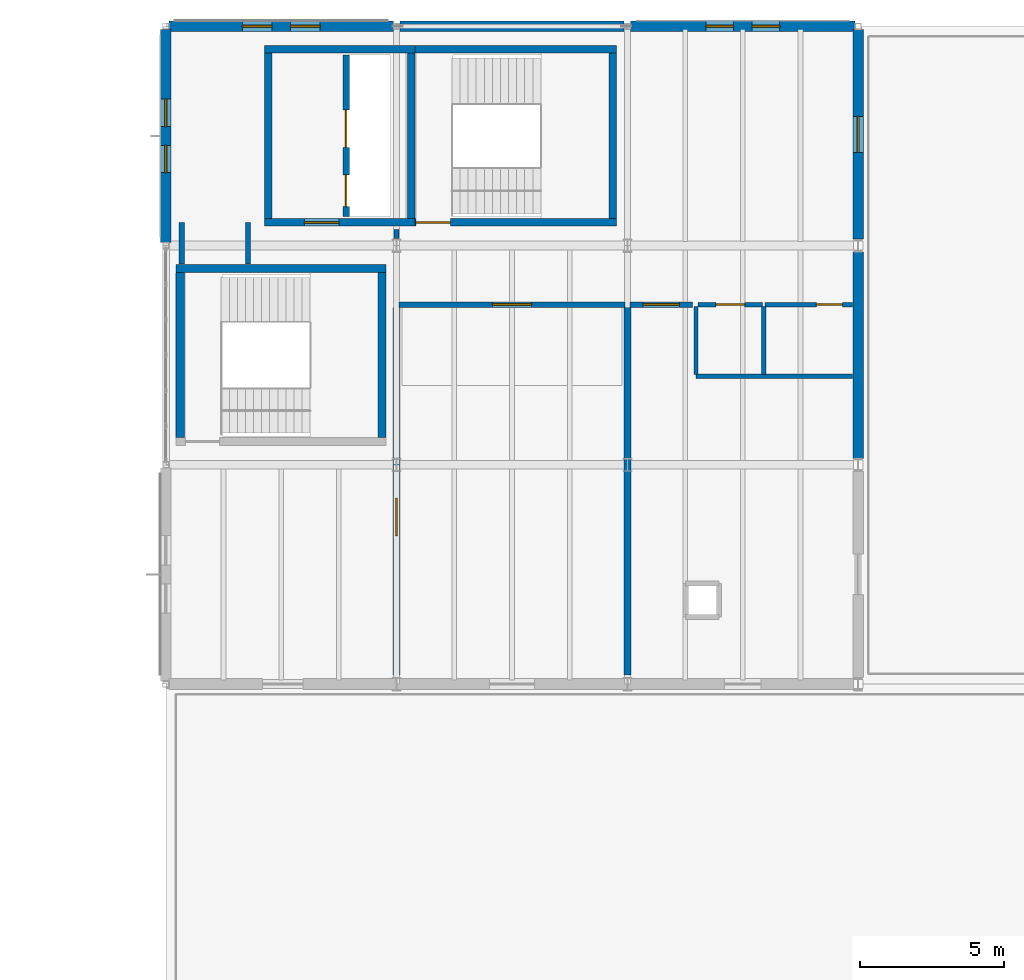
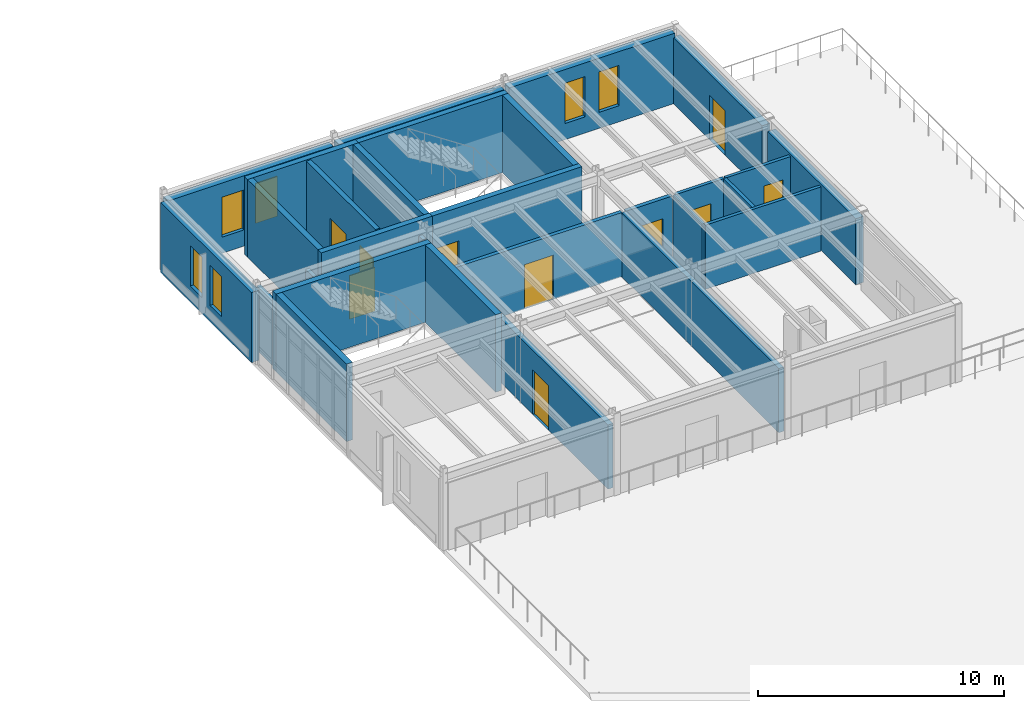
# One storey, part 96 of 114: 29 walls, 10 doors, 6 windows, 16 openings.
"""IFC4 building model written with IfcOpenShell, lengths in metres."""

import ifcopenshell
import ifcopenshell.guid

model = None  # the IFC model being written
_history = None  # IfcOwnerHistory: only IFC2X3 demands one
_inside = {}  # id of a spatial element -> (the spatial element, [elements in it])
_under = {}  # id of a project, library or spatial element -> (it, [spatial elements below it])
_declared = {}  # id of a project -> (the project, [libraries it declares])
_typed = {}  # id of a type object -> (the type object, [elements of that type])
_made_of = {}  # id of a material, layer set ... -> (it, [elements and type objects made of it])


def new_model(schema):
    """Start an empty IFC model of exactly this schema.

    Asked for "IFC4X3", IfcOpenShell would pick the latest addendum, in which some entities
    have other attributes; the version numbers below select the first issue.
    IFC2X3 requires an IfcOwnerHistory on every rooted entity: one is made here for all.
    """
    global model, _history
    if schema == "IFC4X3":
        model = ifcopenshell.file(schema_version=(4, 3, 0, 0))
    else:
        model = ifcopenshell.file(schema=schema)
    _inside.clear()
    _under.clear()
    _declared.clear()
    _typed.clear()
    _made_of.clear()
    _history = None
    if model.schema == "IFC2X3":
        org = make("IfcOrganization", Name="unknown")
        user = make(
            "IfcPersonAndOrganization",
            ThePerson=make("IfcPerson", FamilyName="unknown"),
            TheOrganization=org,
        )
        app = make(
            "IfcApplication",
            ApplicationDeveloper=org,
            Version="unknown",
            ApplicationFullName="unknown",
            ApplicationIdentifier="unknown",
        )
        _history = make(
            "IfcOwnerHistory",
            OwningUser=user,
            OwningApplication=app,
            ChangeAction="ADDED",
            CreationDate=0,
        )
    return model


def make(cls, **values):
    """One entity of the class cls with the attributes given. An attribute that is None is left unset."""
    return model.create_entity(
        cls, **{name: value for name, value in values.items() if value is not None}
    )


def rooted(cls, **values):
    """An entity with a GlobalId (a new one), such as an element, a storey or a relation."""
    return make(cls, GlobalId=ifcopenshell.guid.new(), OwnerHistory=_history, **values)


def si_unit(unit_type, name, prefix=None):
    """IfcSIUnit, for example si_unit("LENGTHUNIT", "METRE", prefix="MILLI")."""
    return make("IfcSIUnit", UnitType=unit_type, Prefix=prefix, Name=name)


def assignment(units):
    """IfcUnitAssignment: the units of a project."""
    return None if units is None else make("IfcUnitAssignment", Units=units)


def point(xyz):
    """IfcCartesianPoint."""
    return None if xyz is None else make("IfcCartesianPoint", Coordinates=xyz)


def direction(xyz):
    """IfcDirection."""
    return None if xyz is None else make("IfcDirection", DirectionRatios=xyz)


def frame(location, z_axis=None, x_axis=None):
    """IfcAxis2Placement3D, a coordinate frame: its origin and axes. An axis left out is left unset."""
    return make(
        "IfcAxis2Placement3D",
        Location=point(location),
        Axis=direction(z_axis),
        RefDirection=direction(x_axis),
    )


def frame_2d(location, x_axis=None):
    """IfcAxis2Placement2D, a coordinate frame in the plane: its origin and x axis."""
    return make(
        "IfcAxis2Placement2D", Location=point(location), RefDirection=direction(x_axis)
    )


def origin():
    """The frame at (0, 0, 0) with its axes left unset."""
    return frame((0.0, 0.0, 0.0))


def place(relative_to, where):
    """IfcLocalPlacement: puts the frame where relative to a parent placement (None: the world)."""
    return make(
        "IfcLocalPlacement", PlacementRelTo=relative_to, RelativePlacement=where
    )


def context(
    kind, dimensions, precision=None, world=None, true_north=None, identifier=None
):
    """IfcGeometricRepresentationContext, for example the 3D "Model" context."""
    return make(
        "IfcGeometricRepresentationContext",
        ContextIdentifier=identifier,
        ContextType=kind,
        CoordinateSpaceDimension=dimensions,
        Precision=precision,
        WorldCoordinateSystem=world,
        TrueNorth=true_north,
    )


def subcontext(parent, identifier, kind, view, scale=None):
    """IfcGeometricRepresentationSubContext, for example "Body" below "Model"."""
    return make(
        "IfcGeometricRepresentationSubContext",
        ContextIdentifier=identifier,
        ContextType=kind,
        ParentContext=parent,
        TargetScale=scale,
        TargetView=view,
    )


def project(units=None, contexts=None):
    """IfcProject with its units and contexts."""
    return rooted(
        "IfcProject",
        Name="project",
        RepresentationContexts=contexts,
        UnitsInContext=assignment(units),
    )


def spatial(cls, under=None, at=None, **own):
    """A site, building, storey or space (cls), placed at a placement, below another one or the project."""
    s = rooted(cls, ObjectPlacement=at, **own)
    if under is not None:
        _under.setdefault(under.id(), (under, []))[1].append(s)
    return s


def profile(cls, at=None, kind="AREA", **sizes):
    """A parametric profile (cls). Its sizes go by their IFC names, for example OverallWidth=200.0."""
    return make(cls, ProfileType=kind, Position=at, **sizes)


def rectangle(**sizes):
    """IfcRectangleProfileDef."""
    return profile("IfcRectangleProfileDef", **sizes)


def extrude(swept, where, along, depth):
    """IfcExtrudedAreaSolid: the profile swept, set in the frame where, extruded along a direction by depth."""
    return make(
        "IfcExtrudedAreaSolid",
        SweptArea=swept,
        Position=where,
        ExtrudedDirection=direction(along),
        Depth=depth,
    )


def shape(context_of_items, identifier, shape_type, items):
    """IfcShapeRepresentation: the items that make up one representation, for example the "Body"."""
    return make(
        "IfcShapeRepresentation",
        ContextOfItems=context_of_items,
        RepresentationIdentifier=identifier,
        RepresentationType=shape_type,
        Items=items,
    )


def material(Name=None, Category=None):
    """IfcMaterial."""
    return make("IfcMaterial", Name=Name, Category=Category)


def layer(
    of_material, thickness, ventilated=None, Name=None, Category=None, Priority=None
):
    """IfcMaterialLayer: one layer of a wall or slab, of a material (None: an air gap)."""
    return make(
        "IfcMaterialLayer",
        Material=of_material,
        LayerThickness=thickness,
        IsVentilated=ventilated,
        Name=Name,
        Category=Category,
        Priority=Priority,
    )


def layer_set(layers, Name=None):
    """IfcMaterialLayerSet."""
    return make("IfcMaterialLayerSet", MaterialLayers=layers, LayerSetName=Name)


def made_of(thing, what):
    """Note that an element or type object is made of a material, layer set ...; save() writes the relation."""
    if what is not None:
        _made_of.setdefault(what.id(), (what, []))[1].append(thing)
    return thing


def type_object(cls, material=None, **own):
    """A type object (cls), such as IfcWallType, which elements share."""
    return made_of(rooted(cls, **own), material)


def element(
    cls,
    number,
    at=None,
    inside=None,
    cuts=None,
    type_object=None,
    material=None,
    context=None,
    identifier="Body",
    shape_type=None,
    held_by="IfcProductDefinitionShape",
    body=None,
    shapes=None,
    **own,
):
    """One element of the class cls, such as IfcWall. Its Tag is "e" and its number.

    at: its placement. inside: the storey or other place that contains it. cuts: it is an
    opening in that element (IfcRelVoidsElement). A single representation is given by context,
    identifier, shape_type and body (its items); several are given by shapes. held_by: the class
    of the entity that holds the representations. save() writes the other relations.
    """
    e = rooted(cls, Tag="e%d" % number, ObjectPlacement=at, **own)
    if body is not None:
        shapes = [shape(context, identifier, shape_type, body)]
    if shapes is not None:
        e.Representation = make(held_by, Representations=shapes)
    if inside is not None:
        _inside.setdefault(inside.id(), (inside, []))[1].append(e)
    if cuts is not None:
        rooted(
            "IfcRelVoidsElement", RelatingBuildingElement=cuts, RelatedOpeningElement=e
        )
    if type_object is not None:
        _typed.setdefault(type_object.id(), (type_object, []))[1].append(e)
    return made_of(e, material)


def fill(opening, filler):
    """IfcRelFillsElement: the door or window that sits in an opening."""
    return rooted(
        "IfcRelFillsElement",
        RelatingOpeningElement=opening,
        RelatedBuildingElement=filler,
    )


def aggregate(whole, parts):
    """IfcRelAggregates: a whole, such as a stair, and the parts it consists of."""
    return rooted("IfcRelAggregates", RelatingObject=whole, RelatedObjects=parts)


def save(model, path):
    """Write the relations noted so far, then the file.

    IfcRelAggregates (storeys below a building ...), IfcRelContainedInSpatialStructure (elements
    in a storey), IfcRelDefinesByType, IfcRelAssociatesMaterial and IfcRelDeclares: one each for
    every whole, place, type object, material and project.
    """
    for whole, parts in _under.values():
        aggregate(whole, parts)
    for where, things in _inside.values():
        rooted(
            "IfcRelContainedInSpatialStructure",
            RelatedElements=things,
            RelatingStructure=where,
        )
    for kind, things in _typed.values():
        rooted("IfcRelDefinesByType", RelatedObjects=things, RelatingType=kind)
    for what, things in _made_of.values():
        rooted("IfcRelAssociatesMaterial", RelatedObjects=things, RelatingMaterial=what)
    for by, libraries in _declared.values():
        rooted("IfcRelDeclares", RelatingContext=by, RelatedDefinitions=libraries)
    model.write(path)


model = new_model("IFC4")

# Units and contexts
model_context = context("Model", 3, precision=1e-05, world=origin(), true_north=direction((0.0, 1.0)))
body_context = subcontext(model_context, "Body", "Model", "MODEL_VIEW")
ifc_project = project(units=[si_unit("LENGTHUNIT", "METRE"), si_unit("AREAUNIT", "SQUARE_METRE"), si_unit("VOLUMEUNIT", "CUBIC_METRE"), si_unit("PLANEANGLEUNIT", "RADIAN"), si_unit("MASSUNIT", "GRAM", prefix="KILO")], contexts=[model_context])

# Site, building, storey
site_placement = place(None, origin())
site = spatial("IfcSite", under=ifc_project, at=site_placement, CompositionType="ELEMENT")
building_placement = place(site_placement, origin())
building = spatial("IfcBuilding", under=site, at=building_placement, Name="Montecoro Central Library", CompositionType="ELEMENT")
storey_placement = place(building_placement, frame((0.0, 0.0, 13.260009765625)))
storey = spatial("IfcBuildingStorey", under=building, at=storey_placement, Name="L03", CompositionType="ELEMENT", Elevation=13.260009765625)

# Wall
ifc_material_1 = material(Name="Roman travertine stone clad concrete C35/45", Category="masonry")
ifc_layer_1 = layer(ifc_material_1, 0.364990234375)
ifc_layer_set_1 = layer_set([ifc_layer_1], Name="Roman travertine stone clad concrete C35/45")
wall_type_1 = type_object("IfcWallType", Name="EW-STK-365", PredefinedType="SOLIDWALL", material=ifc_layer_set_1)
wall_1_placement = place(storey_placement, frame((165.0, 104.02294921875, 0.0), z_axis=(0.0, 0.0, 1.0), x_axis=(0.0, 1.0, 0.0)))
element("IfcWall", 1, at=wall_1_placement, inside=storey, type_object=wall_type_1, Name="V5-L03-EW-E1", PredefinedType="SOLIDWALL", context=body_context, shape_type="SweptSolid", body=[
    extrude(rectangle(XDim=7.154052734375, YDim=0.364990234375, at=frame_2d((3.5771484375, 0.0))), origin(), (0.0, 0.0, 1.0), 3.27001953125),
])

# Wall, opening, door
wall_2_placement = place(storey_placement, frame((165.0, 111.623046875, 0.0), z_axis=(0.0, 0.0, 1.0), x_axis=(0.0, 1.0, 0.0)))
wall_2 = element("IfcWall", 2, at=wall_2_placement, inside=storey, type_object=wall_type_1, Name="V5-L03-EW-E2", PredefinedType="SOLIDWALL", context=body_context, shape_type="SweptSolid", body=[
    extrude(rectangle(XDim=7.263916015625, YDim=0.364990234375, at=frame_2d((3.6318359375, 0.0))), origin(), (0.0, 0.0, 1.0), 3.27001953125),
])
opening_1_placement = place(wall_2_placement, frame((3.007080078125, 0.0, 0.0)))
opening_1 = element("IfcOpeningElement", 3, at=opening_1_placement, cuts=wall_2, Name="Opening ED-09", PredefinedType="OPENING", context=body_context, shape_type="SweptSolid", body=[
    extrude(rectangle(XDim=1.25, YDim=2.199951171875, at=frame_2d((0.625, 1.10009765625))), frame((0.0, 0.1923828125, 0.0), z_axis=(0.0, -1.0, 0.0), x_axis=(1.0, 0.0, 0.0)), (0.0, 0.0, 1.0), 0.385009765625),
])
ifc_material_2 = material(Name="Thermally broken architectural bronze and safety glass", Category="glass")
door_type_1 = type_object("IfcDoorType", Name="ED-TER-125", OperationType="NOTDEFINED", PredefinedType="DOOR", material=ifc_material_2)
door_1_placement = place(opening_1_placement, origin())
door_1 = element("IfcDoor", 4, at=door_1_placement, inside=storey, type_object=door_type_1, Name="V5-L03-TD-E2", OperationType="SINGLE_SWING_RIGHT", OverallHeight=2.199951171875, OverallWidth=1.25, PredefinedType="DOOR", context=body_context, shape_type="SweptSolid", body=[
    extrude(rectangle(XDim=1.25, YDim=2.199951171875, at=frame_2d((0.625, 1.10009765625))), frame((0.0, 0.02490234375, 0.0), z_axis=(0.0, -1.0, 0.0), x_axis=(1.0, 0.0, 0.0)), (0.0, 0.0, 1.0), 0.050048828125),
])
fill(opening_1, door_1)

# Wall, openings, windows
wall_3_placement = place(storey_placement, frame((164.886962890625, 119.0, 0.0), z_axis=(0.0, 0.0, 1.0), x_axis=(-1.0, 0.0, 0.0)))
wall_3 = element("IfcWall", 5, at=wall_3_placement, inside=storey, type_object=wall_type_1, Name="V5-L03-EW-N2", PredefinedType="SOLIDWALL", context=body_context, shape_type="SweptSolid", body=[
    extrude(rectangle(XDim=7.77392578125, YDim=0.364990234375, at=frame_2d((3.886962890625, 0.0))), origin(), (0.0, 0.0, 1.0), 3.47998046875),
])
opening_2_placement = place(wall_3_placement, frame((2.612060546875, 0.0, 0.800048828125)))
opening_2 = element("IfcOpeningElement", 6, at=opening_2_placement, cuts=wall_3, Name="Opening WN-02", PredefinedType="OPENING", context=body_context, shape_type="SweptSolid", body=[
    extrude(rectangle(XDim=0.949951171875, YDim=2.0, at=frame_2d((0.47509765625, 1.0))), frame((0.0, 0.1923828125, 0.0), z_axis=(0.0, -1.0, 0.0), x_axis=(1.0, 0.0, 0.0)), (0.0, 0.0, 1.0), 0.385009765625),
])
opening_3_placement = place(wall_3_placement, frame((4.2119140625, 0.0, 0.800048828125)))
opening_3 = element("IfcOpeningElement", 7, at=opening_3_placement, cuts=wall_3, Name="Opening WN-02", PredefinedType="OPENING", context=body_context, shape_type="SweptSolid", body=[
    extrude(rectangle(XDim=0.949951171875, YDim=2.0, at=frame_2d((0.47509765625, 1.0))), frame((0.0, 0.1923828125, 0.0), z_axis=(0.0, -1.0, 0.0), x_axis=(1.0, 0.0, 0.0)), (0.0, 0.0, 1.0), 0.385009765625),
])
ifc_material_3 = material(Name="UV-filtered triple glazing", Category="glass")
window_type_1 = type_object("IfcWindowType", Name="WN-STK-095", PartitioningType="SINGLE_PANEL", PredefinedType="WINDOW", material=ifc_material_3)
window_1_placement = place(opening_2_placement, origin())
window_1 = element("IfcWindow", 8, at=window_1_placement, inside=storey, type_object=window_type_1, Name="V5-L03-WN-N2-1", OverallHeight=2.0, OverallWidth=0.949951171875, PartitioningType="SINGLE_PANEL", PredefinedType="WINDOW", context=body_context, shape_type="SweptSolid", body=[
    extrude(rectangle(XDim=0.949951171875, YDim=2.0, at=frame_2d((0.47509765625, 1.0))), frame((0.0, 0.030029296875, 0.0), z_axis=(0.0, -1.0, 0.0), x_axis=(1.0, 0.0, 0.0)), (0.0, 0.0, 1.0), 0.06005859375),
])
fill(opening_2, window_1)
window_2_placement = place(opening_3_placement, origin())
window_2 = element("IfcWindow", 9, at=window_2_placement, inside=storey, type_object=window_type_1, Name="V5-L03-WN-N2-2", OverallHeight=2.0, OverallWidth=0.949951171875, PartitioningType="SINGLE_PANEL", PredefinedType="WINDOW", context=body_context, shape_type="SweptSolid", body=[
    extrude(rectangle(XDim=0.949951171875, YDim=2.0, at=frame_2d((0.47509765625, 1.0))), frame((0.0, 0.030029296875, 0.0), z_axis=(0.0, -1.0, 0.0), x_axis=(1.0, 0.0, 0.0)), (0.0, 0.0, 1.0), 0.06005859375),
])
fill(opening_3, window_2)

# Wall
wall_4_placement = place(storey_placement, frame((156.886962890625, 119.0, 0.0), z_axis=(0.0, 0.0, 1.0), x_axis=(-1.0, 0.0, 0.0)))
element("IfcWall", 10, at=wall_4_placement, inside=storey, type_object=wall_type_1, Name="V5-L03-EW-N1", PredefinedType="SOLIDWALL", context=body_context, shape_type="SweptSolid", body=[
    extrude(rectangle(XDim=7.77392578125, YDim=0.364990234375, at=frame_2d((3.886962890625, 0.0))), origin(), (0.0, 0.0, 1.0), 3.47998046875),
])

# Wall, openings, windows
wall_5_placement = place(storey_placement, frame((148.886962890625, 119.0, 0.0), z_axis=(0.0, 0.0, 1.0), x_axis=(-1.0, 0.0, 0.0)))
wall_5 = element("IfcWall", 11, at=wall_5_placement, inside=storey, type_object=wall_type_1, Name="V5-L03-EW-N0", PredefinedType="SOLIDWALL", context=body_context, shape_type="SweptSolid", body=[
    extrude(rectangle(XDim=7.77392578125, YDim=0.364990234375, at=frame_2d((3.886962890625, 0.0))), origin(), (0.0, 0.0, 1.0), 3.47998046875),
])
opening_4_placement = place(wall_5_placement, frame((2.5419921875, 0.0, 0.800048828125)))
opening_4 = element("IfcOpeningElement", 12, at=opening_4_placement, cuts=wall_5, Name="Opening WN-30", PredefinedType="OPENING", context=body_context, shape_type="SweptSolid", body=[
    extrude(rectangle(XDim=1.02001953125, YDim=1.97998046875, at=frame_2d((0.510009765625, 0.989990234375))), frame((0.0, 0.1923828125, 0.0), z_axis=(0.0, -1.0, 0.0), x_axis=(1.0, 0.0, 0.0)), (0.0, 0.0, 1.0), 0.385009765625),
])
opening_5_placement = place(wall_5_placement, frame((4.2119140625, 0.0, 0.800048828125)))
opening_5 = element("IfcOpeningElement", 13, at=opening_5_placement, cuts=wall_5, Name="Opening WN-30", PredefinedType="OPENING", context=body_context, shape_type="SweptSolid", body=[
    extrude(rectangle(XDim=1.02001953125, YDim=1.97998046875, at=frame_2d((0.510009765625, 0.989990234375))), frame((0.0, 0.1923828125, 0.0), z_axis=(0.0, -1.0, 0.0), x_axis=(1.0, 0.0, 0.0)), (0.0, 0.0, 1.0), 0.385009765625),
])
window_type_2 = type_object("IfcWindowType", Name="WN-STK-102", PartitioningType="SINGLE_PANEL", PredefinedType="WINDOW", material=ifc_material_3)
window_3_placement = place(opening_4_placement, origin())
window_3 = element("IfcWindow", 14, at=window_3_placement, inside=storey, type_object=window_type_2, Name="V5-L03-WN-N0-1", OverallHeight=1.97998046875, OverallWidth=1.02001953125, PartitioningType="SINGLE_PANEL", PredefinedType="WINDOW", context=body_context, shape_type="SweptSolid", body=[
    extrude(rectangle(XDim=1.02001953125, YDim=1.97998046875, at=frame_2d((0.510009765625, 0.989990234375))), frame((0.0, 0.030029296875, 0.0), z_axis=(0.0, -1.0, 0.0), x_axis=(1.0, 0.0, 0.0)), (0.0, 0.0, 1.0), 0.06005859375),
])
fill(opening_4, window_3)
window_4_placement = place(opening_5_placement, origin())
window_4 = element("IfcWindow", 15, at=window_4_placement, inside=storey, type_object=window_type_2, Name="V5-L03-WN-N0-2", OverallHeight=1.97998046875, OverallWidth=1.02001953125, PartitioningType="SINGLE_PANEL", PredefinedType="WINDOW", context=body_context, shape_type="SweptSolid", body=[
    extrude(rectangle(XDim=1.02001953125, YDim=1.97998046875, at=frame_2d((0.510009765625, 0.989990234375))), frame((0.0, 0.030029296875, 0.0), z_axis=(0.0, -1.0, 0.0), x_axis=(1.0, 0.0, 0.0)), (0.0, 0.0, 1.0), 0.06005859375),
])
fill(opening_5, window_4)

wall_6_placement = place(storey_placement, frame((141.0, 118.886962890625, 0.0), z_axis=(0.0, 0.0, 1.0), x_axis=(0.0, -1.0, 0.0)))
wall_6 = element("IfcWall", 16, at=wall_6_placement, inside=storey, type_object=wall_type_1, Name="V5-L03-EW-W2", PredefinedType="SOLIDWALL", context=body_context, shape_type="SweptSolid", body=[
    extrude(rectangle(XDim=7.3740234375, YDim=0.364990234375, at=frame_2d((3.68701171875, 0.0))), origin(), (0.0, 0.0, 1.0), 3.47998046875),
])
opening_6_placement = place(wall_6_placement, frame((2.412109375, 0.0, 0.800048828125)))
opening_6 = element("IfcOpeningElement", 17, at=opening_6_placement, cuts=wall_6, Name="Opening WN-02", PredefinedType="OPENING", context=body_context, shape_type="SweptSolid", body=[
    extrude(rectangle(XDim=0.949951171875, YDim=2.0, at=frame_2d((0.47509765625, 1.0))), frame((0.0, 0.1923828125, 0.0), z_axis=(0.0, -1.0, 0.0), x_axis=(1.0, 0.0, 0.0)), (0.0, 0.0, 1.0), 0.385009765625),
])
opening_7_placement = place(wall_6_placement, frame((4.011962890625, 0.0, 0.800048828125)))
opening_7 = element("IfcOpeningElement", 18, at=opening_7_placement, cuts=wall_6, Name="Opening WN-02", PredefinedType="OPENING", context=body_context, shape_type="SweptSolid", body=[
    extrude(rectangle(XDim=0.949951171875, YDim=2.0, at=frame_2d((0.47509765625, 1.0))), frame((0.0, 0.1923828125, 0.0), z_axis=(0.0, -1.0, 0.0), x_axis=(1.0, 0.0, 0.0)), (0.0, 0.0, 1.0), 0.385009765625),
])
window_5_placement = place(opening_6_placement, origin())
window_5 = element("IfcWindow", 19, at=window_5_placement, inside=storey, type_object=window_type_1, Name="V5-L03-WN-W2-1", OverallHeight=2.0, OverallWidth=0.949951171875, PartitioningType="SINGLE_PANEL", PredefinedType="WINDOW", context=body_context, shape_type="SweptSolid", body=[
    extrude(rectangle(XDim=0.949951171875, YDim=2.0, at=frame_2d((0.47509765625, 1.0))), frame((0.0, 0.030029296875, 0.0), z_axis=(0.0, -1.0, 0.0), x_axis=(1.0, 0.0, 0.0)), (0.0, 0.0, 1.0), 0.06005859375),
])
fill(opening_6, window_5)
window_6_placement = place(opening_7_placement, origin())
window_6 = element("IfcWindow", 20, at=window_6_placement, inside=storey, type_object=window_type_1, Name="V5-L03-WN-W2-2", OverallHeight=2.0, OverallWidth=0.949951171875, PartitioningType="SINGLE_PANEL", PredefinedType="WINDOW", context=body_context, shape_type="SweptSolid", body=[
    extrude(rectangle(XDim=0.949951171875, YDim=2.0, at=frame_2d((0.47509765625, 1.0))), frame((0.0, 0.030029296875, 0.0), z_axis=(0.0, -1.0, 0.0), x_axis=(1.0, 0.0, 0.0)), (0.0, 0.0, 1.0), 0.06005859375),
])
fill(opening_7, window_6)

# Wall, opening, door
ifc_material_4 = material(Name="Gypsum fire-rated partition")
ifc_layer_2 = layer(ifc_material_4, 0.179931640625)
ifc_layer_set_2 = layer_set([ifc_layer_2], Name="Gypsum fire-rated partition")
wall_type_2 = type_object("IfcWallType", Name="IW-COR-180", PredefinedType="PARTITIONING", material=ifc_layer_set_2)
wall_7_placement = place(storey_placement, frame((149.090087890625, 109.35009765625, 0.0), z_axis=(0.0, 0.0, 1.0), x_axis=(1.0, 0.0, 0.0)))
wall_7 = element("IfcWall", 21, at=wall_7_placement, inside=storey, type_object=wall_type_2, Name="CORW-V5-L03-03", PredefinedType="PARTITIONING", context=body_context, shape_type="SweptSolid", body=[
    extrude(rectangle(XDim=7.81982421875, YDim=0.179931640625, at=frame_2d((3.909912109375, 0.0))), origin(), (0.0, 0.0, 1.0), 3.179931640625),
])
opening_8_placement = place(wall_7_placement, frame((3.22998046875, 0.0, 0.0)))
opening_8 = element("IfcOpeningElement", 22, at=opening_8_placement, cuts=wall_7, Name="Opening ID-05", PredefinedType="OPENING", context=body_context, shape_type="SweptSolid", body=[
    extrude(rectangle(XDim=1.360107421875, YDim=2.199951171875, at=frame_2d((0.68017578125, 1.10009765625))), frame((0.0, 0.099853515625, 0.0), z_axis=(0.0, -1.0, 0.0), x_axis=(1.0, 0.0, 0.0)), (0.0, 0.0, 1.0), 0.199951171875),
])
ifc_material_5 = material(Name="Solid oak and fire-rated steel door", Category="steel")
door_type_2 = type_object("IfcDoorType", Name="ID-VLT-136", OperationType="NOTDEFINED", PredefinedType="DOOR", material=ifc_material_5)
door_2_placement = place(opening_8_placement, origin())
door_2 = element("IfcDoor", 23, at=door_2_placement, inside=storey, type_object=door_type_2, Name="DR-SP-V5-L03-R2P1", OperationType="SINGLE_SWING_LEFT", OverallHeight=2.199951171875, OverallWidth=1.360107421875, PredefinedType="DOOR", context=body_context, shape_type="SweptSolid", body=[
    extrude(rectangle(XDim=1.360107421875, YDim=2.199951171875, at=frame_2d((0.68017578125, 1.10009765625))), frame((0.0, 0.02490234375, 0.0), z_axis=(0.0, -1.0, 0.0), x_axis=(1.0, 0.0, 0.0)), (0.0, 0.0, 1.0), 0.050048828125),
])
fill(opening_8, door_2)

wall_8_placement = place(storey_placement, frame((157.090087890625, 109.35009765625, 0.0), z_axis=(0.0, 0.0, 1.0), x_axis=(1.0, 0.0, 0.0)))
wall_8 = element("IfcWall", 24, at=wall_8_placement, inside=storey, type_object=wall_type_2, Name="CORW-V5-L03-04", PredefinedType="PARTITIONING", context=body_context, shape_type="SweptSolid", body=[
    extrude(rectangle(XDim=2.169921875, YDim=0.179931640625, at=frame_2d((1.0849609375, 0.0))), origin(), (0.0, 0.0, 1.0), 3.179931640625),
])
opening_9_placement = place(wall_8_placement, frame((0.455078125, 0.0, 0.0)))
opening_9 = element("IfcOpeningElement", 25, at=opening_9_placement, cuts=wall_8, Name="Opening ID-09", PredefinedType="OPENING", context=body_context, shape_type="SweptSolid", body=[
    extrude(rectangle(XDim=1.260009765625, YDim=2.199951171875, at=frame_2d((0.6298828125, 1.10009765625))), frame((0.0, 0.099853515625, 0.0), z_axis=(0.0, -1.0, 0.0), x_axis=(1.0, 0.0, 0.0)), (0.0, 0.0, 1.0), 0.199951171875),
])
door_type_3 = type_object("IfcDoorType", Name="ID-RDG-126", OperationType="NOTDEFINED", PredefinedType="DOOR", material=ifc_material_5)
door_3_placement = place(opening_9_placement, origin())
door_3 = element("IfcDoor", 26, at=door_3_placement, inside=storey, type_object=door_type_3, Name="DR-SP-V5-L03-R3P1", OperationType="SINGLE_SWING_RIGHT", OverallHeight=2.199951171875, OverallWidth=1.260009765625, PredefinedType="DOOR", context=body_context, shape_type="SweptSolid", body=[
    extrude(rectangle(XDim=1.260009765625, YDim=2.199951171875, at=frame_2d((0.6298828125, 1.10009765625))), frame((0.0, 0.02490234375, 0.0), z_axis=(0.0, -1.0, 0.0), x_axis=(1.0, 0.0, 0.0)), (0.0, 0.0, 1.0), 0.050048828125),
])
fill(opening_9, door_3)

# Walls
wall_9_placement = place(storey_placement, frame((149.0, 111.639892578125, 0.0), z_axis=(0.0, 0.0, 1.0), x_axis=(0.0, 1.0, 0.0)))
element("IfcWall", 27, at=wall_9_placement, inside=storey, type_object=wall_type_2, Name="PIL-V5-L03-1", PredefinedType="PARTITIONING", context=body_context, shape_type="SweptSolid", body=[
    extrude(rectangle(XDim=0.320068359375, YDim=0.179931640625, at=frame_2d((0.16015625, 0.0))), origin(), (0.0, 0.0, 1.0), 3.179931640625),
])
for number, where, z_axis, x_axis, name in (
    (28, (141.550048828125, 110.760009765625, 0.0), (0.0, 0.0, 1.0), (0.0, 1.0, 0.0), "SPRW-V5-L03-1W1"),
    (29, (143.85009765625, 110.760009765625, 0.0), (0.0, 0.0, 1.0), (0.0, 1.0, 0.0), "SPRW-V5-L03-1E1"),
):
    element("IfcWall", number, at=place(storey_placement, frame(where, z_axis=z_axis, x_axis=x_axis)), inside=storey, type_object=wall_type_2, Name=name, PredefinedType="PARTITIONING", context=body_context, shape_type="SweptSolid", body=[
        extrude(rectangle(XDim=1.43994140625, YDim=0.179931640625, at=frame_2d((0.719970703125, 0.0))), origin(), (0.0, 0.0, 1.0), 3.179931640625),
    ])

# Wall, openings, doors
ifc_material_6 = material(Name="Concrete C32/40", Category="concrete")
ifc_layer_3 = layer(ifc_material_6, 0.219970703125)
ifc_layer_set_3 = layer_set([ifc_layer_3], Name="Concrete C32/40")
wall_type_3 = type_object("IfcWallType", Name="IW-FFL-220", PredefinedType="SOLIDWALL", material=ifc_layer_set_3)
wall_10_placement = place(storey_placement, frame((147.25, 112.39990234375, 0.0), z_axis=(0.0, 0.0, 1.0), x_axis=(0.0, 1.0, 0.0)))
wall_10 = element("IfcWall", 30, at=wall_10_placement, inside=storey, type_object=wall_type_3, Name="C6-L03-WLSH", PredefinedType="SOLIDWALL", context=body_context, shape_type="SweptSolid", body=[
    extrude(rectangle(XDim=5.60009765625, YDim=0.219970703125, at=frame_2d((2.800048828125, 0.0))), origin(), (0.0, 0.0, 1.0), 3.844970703125),
])
opening_10_placement = place(wall_10_placement, frame((0.35009765625, 0.0, 0.0)))
opening_10 = element("IfcOpeningElement", 31, at=opening_10_placement, cuts=wall_10, Name="Opening LD-01", PredefinedType="OPENING", context=body_context, shape_type="SweptSolid", body=[
    extrude(rectangle(XDim=1.10009765625, YDim=2.14990234375, at=frame_2d((0.550048828125, 1.074951171875))), frame((0.0, 0.119873046875, 0.0), z_axis=(0.0, -1.0, 0.0), x_axis=(1.0, 0.0, 0.0)), (0.0, 0.0, 1.0), 0.239990234375),
])
opening_11_placement = place(wall_10_placement, frame((2.39990234375, 0.0, 0.0)))
opening_11 = element("IfcOpeningElement", 32, at=opening_11_placement, cuts=wall_10, Name="Opening LD-02", PredefinedType="OPENING", context=body_context, shape_type="SweptSolid", body=[
    extrude(rectangle(XDim=1.300048828125, YDim=2.179931640625, at=frame_2d((0.64990234375, 1.08984375))), frame((0.0, 0.119873046875, 0.0), z_axis=(0.0, -1.0, 0.0), x_axis=(1.0, 0.0, 0.0)), (0.0, 0.0, 1.0), 0.239990234375),
])
door_type_4 = type_object("IfcDoorType", Name="LD-LIFT-110", OperationType="NOTDEFINED", PredefinedType="DOOR", material=ifc_material_5)
door_4_placement = place(opening_10_placement, origin())
door_4 = element("IfcDoor", 33, at=door_4_placement, inside=storey, type_object=door_type_4, Name="C6-L03-LD-FFL-02", OperationType="SLIDING_TO_LEFT", OverallHeight=2.14990234375, OverallWidth=1.10009765625, PredefinedType="DOOR", context=body_context, shape_type="SweptSolid", body=[
    extrude(rectangle(XDim=1.10009765625, YDim=2.14990234375, at=frame_2d((0.550048828125, 1.074951171875))), frame((0.0, 0.02490234375, 0.0), z_axis=(0.0, -1.0, 0.0), x_axis=(1.0, 0.0, 0.0)), (0.0, 0.0, 1.0), 0.050048828125),
])
fill(opening_10, door_4)
door_type_5 = type_object("IfcDoorType", Name="LD-LIFT-130", OperationType="NOTDEFINED", PredefinedType="DOOR", material=ifc_material_5)
door_5_placement = place(opening_11_placement, origin())
door_5 = element("IfcDoor", 34, at=door_5_placement, inside=storey, type_object=door_type_5, Name="C6-L03-LD-GL-01", OperationType="SLIDING_TO_LEFT", OverallHeight=2.179931640625, OverallWidth=1.300048828125, PredefinedType="DOOR", context=body_context, shape_type="SweptSolid", body=[
    extrude(rectangle(XDim=1.300048828125, YDim=2.179931640625, at=frame_2d((0.64990234375, 1.08984375))), frame((0.0, 0.02490234375, 0.0), z_axis=(0.0, -1.0, 0.0), x_axis=(1.0, 0.0, 0.0)), (0.0, 0.0, 1.0), 0.050048828125),
])
fill(opening_11, door_5)

# Wall, opening, door
ifc_material_7 = material(Name="Concrete C35/45", Category="concrete")
ifc_layer_4 = layer(ifc_material_7, 0.260009765625)
ifc_layer_set_4 = layer_set([ifc_layer_4], Name="Concrete C35/45")
wall_type_4 = type_object("IfcWallType", Name="IW-SHR-260", PredefinedType="SHEAR", material=ifc_layer_set_4)
wall_11_placement = place(storey_placement, frame((144.419921875, 112.199951171875, 0.0), z_axis=(0.0, 0.0, 1.0), x_axis=(1.0, 0.0, 0.0)))
wall_11 = element("IfcWall", 35, at=wall_11_placement, inside=storey, type_object=wall_type_4, Name="C6-L03-LWS", PredefinedType="SHEAR", context=body_context, shape_type="SweptSolid", body=[
    extrude(rectangle(XDim=5.2099609375, YDim=0.260009765625, at=frame_2d((2.60498046875, 0.0))), origin(), (0.0, 0.0, 1.0), 3.844970703125),
])
opening_12_placement = place(wall_11_placement, frame((1.3798828125, 0.0, 0.0)))
opening_12 = element("IfcOpeningElement", 36, at=opening_12_placement, cuts=wall_11, Name="Opening ID-03", PredefinedType="OPENING", context=body_context, shape_type="SweptSolid", body=[
    extrude(rectangle(XDim=1.199951171875, YDim=2.159912109375, at=frame_2d((0.60009765625, 1.080078125))), frame((0.0, 0.139892578125, 0.0), z_axis=(0.0, -1.0, 0.0), x_axis=(1.0, 0.0, 0.0)), (0.0, 0.0, 1.0), 0.280029296875),
])
door_type_6 = type_object("IfcDoorType", Name="ID-FFL-120", OperationType="NOTDEFINED", PredefinedType="DOOR", material=ifc_material_5)
door_6_placement = place(opening_12_placement, origin())
door_6 = element("IfcDoor", 37, at=door_6_placement, inside=storey, type_object=door_type_6, Name="C6-L03-DLOB", OperationType="SINGLE_SWING_LEFT", OverallHeight=2.159912109375, OverallWidth=1.199951171875, PredefinedType="DOOR", context=body_context, shape_type="SweptSolid", body=[
    extrude(rectangle(XDim=1.199951171875, YDim=2.159912109375, at=frame_2d((0.60009765625, 1.080078125))), frame((0.0, 0.02490234375, 0.0), z_axis=(0.0, -1.0, 0.0), x_axis=(1.0, 0.0, 0.0)), (0.0, 0.0, 1.0), 0.050048828125),
])
fill(opening_12, door_6)

# Walls
wall_12_placement = place(storey_placement, frame((149.6298828125, 118.199951171875, 0.0), z_axis=(0.0, 0.0, 1.0), x_axis=(-1.0, 0.0, 0.0)))
element("IfcWall", 38, at=wall_12_placement, inside=storey, type_object=wall_type_4, Name="C6-L03-LWN", PredefinedType="SHEAR", context=body_context, shape_type="SweptSolid", body=[
    extrude(rectangle(XDim=5.2099609375, YDim=0.260009765625, at=frame_2d((2.60498046875, 0.0))), origin(), (0.0, 0.0, 1.0), 3.844970703125),
])
wall_13_placement = place(storey_placement, frame((144.550048828125, 118.070068359375, 0.0), z_axis=(0.0, 0.0, 1.0), x_axis=(0.0, -1.0, 0.0)))
element("IfcWall", 39, at=wall_13_placement, inside=storey, type_object=wall_type_4, Name="C6-L03-LWW", PredefinedType="SHEAR", context=body_context, shape_type="SweptSolid", body=[
    extrude(rectangle(XDim=5.739990234375, YDim=0.260009765625, at=frame_2d((2.8701171875, 0.0))), origin(), (0.0, 0.0, 1.0), 3.844970703125),
])

# Wall, opening, door
wall_14_placement = place(storey_placement, frame((149.3701171875, 112.199951171875, 0.0), z_axis=(0.0, 0.0, 1.0), x_axis=(1.0, 0.0, 0.0)))
wall_14 = element("IfcWall", 40, at=wall_14_placement, inside=storey, type_object=wall_type_4, Name="C6-L03-WS", PredefinedType="SHEAR", context=body_context, shape_type="SweptSolid", body=[
    extrude(rectangle(XDim=7.259765625, YDim=0.260009765625, at=frame_2d((3.6298828125, 0.0))), origin(), (0.0, 0.0, 1.0), 3.844970703125),
])
opening_13_placement = place(wall_14_placement, frame((0.31005859375, 0.0, 0.0)))
opening_13 = element("IfcOpeningElement", 41, at=opening_13_placement, cuts=wall_14, Name="Opening ID-02", PredefinedType="OPENING", context=body_context, shape_type="SweptSolid", body=[
    extrude(rectangle(XDim=1.179931640625, YDim=2.179931640625, at=frame_2d((0.58984375, 1.08984375))), frame((0.0, 0.139892578125, 0.0), z_axis=(0.0, -1.0, 0.0), x_axis=(1.0, 0.0, 0.0)), (0.0, 0.0, 1.0), 0.280029296875),
])
door_type_7 = type_object("IfcDoorType", Name="ID-STR-135", OperationType="NOTDEFINED", PredefinedType="DOOR", material=ifc_material_5)
door_7_placement = place(opening_13_placement, origin())
door_7 = element("IfcDoor", 42, at=door_7_placement, inside=storey, type_object=door_type_7, Name="C6-L03-DSTR", OperationType="SINGLE_SWING_RIGHT", OverallHeight=2.179931640625, OverallWidth=1.179931640625, PredefinedType="DOOR", context=body_context, shape_type="SweptSolid", body=[
    extrude(rectangle(XDim=1.179931640625, YDim=2.179931640625, at=frame_2d((0.58984375, 1.08984375))), frame((0.0, 0.02490234375, 0.0), z_axis=(0.0, -1.0, 0.0), x_axis=(1.0, 0.0, 0.0)), (0.0, 0.0, 1.0), 0.050048828125),
])
fill(opening_13, door_7)

# Walls
wall_15_placement = place(storey_placement, frame((149.3701171875, 118.199951171875, 0.0), z_axis=(0.0, 0.0, 1.0), x_axis=(1.0, 0.0, 0.0)))
element("IfcWall", 43, at=wall_15_placement, inside=storey, type_object=wall_type_4, Name="C6-L03-WN", PredefinedType="SHEAR", context=body_context, shape_type="SweptSolid", body=[
    extrude(rectangle(XDim=7.259765625, YDim=0.260009765625, at=frame_2d((3.6298828125, 0.0))), origin(), (0.0, 0.0, 1.0), 3.844970703125),
])
for number, where, z_axis, x_axis, name in (
    (44, (149.5, 112.330078125, 0.0), (0.0, 0.0, 1.0), (0.0, 1.0, 0.0), "C6-L03-WW"),
    (45, (156.5, 112.330078125, 0.0), (0.0, 0.0, 1.0), (0.0, 1.0, 0.0), "C6-L03-WE"),
):
    element("IfcWall", number, at=place(storey_placement, frame(where, z_axis=z_axis, x_axis=x_axis)), inside=storey, type_object=wall_type_4, Name=name, PredefinedType="SHEAR", context=body_context, shape_type="SweptSolid", body=[
        extrude(rectangle(XDim=5.739990234375, YDim=0.260009765625, at=frame_2d((2.8701171875, 0.0))), origin(), (0.0, 0.0, 1.0), 3.844970703125),
    ])
ifc_layer_5 = layer(ifc_material_7, 0.280029296875)
ifc_layer_set_5 = layer_set([ifc_layer_5], Name="Concrete C35/45")
wall_type_5 = type_object("IfcWallType", Name="IW-SHR-280", PredefinedType="SHEAR", material=ifc_layer_set_5)
wall_16_placement = place(storey_placement, frame((141.360107421875, 110.60009765625, 0.0), z_axis=(0.0, 0.0, 1.0), x_axis=(1.0, 0.0, 0.0)))
element("IfcWall", 46, at=wall_16_placement, inside=storey, type_object=wall_type_5, Name="C8-L03-WN", PredefinedType="SHEAR", context=body_context, shape_type="SweptSolid", body=[
    extrude(rectangle(XDim=7.27978515625, YDim=0.280029296875, at=frame_2d((3.639892578125, 0.0))), origin(), (0.0, 0.0, 1.0), 3.844970703125),
])
for number, where, z_axis, x_axis, name in (
    (47, (141.5, 104.739990234375, 0.0), (0.0, 0.0, 1.0), (0.0, 1.0, 0.0), "C8-L03-WW"),
    (48, (148.5, 104.739990234375, 0.0), (0.0, 0.0, 1.0), (0.0, 1.0, 0.0), "C8-L03-WE"),
):
    element("IfcWall", number, at=place(storey_placement, frame(where, z_axis=z_axis, x_axis=x_axis)), inside=storey, type_object=wall_type_5, Name=name, PredefinedType="SHEAR", context=body_context, shape_type="SweptSolid", body=[
        extrude(rectangle(XDim=5.719970703125, YDim=0.280029296875, at=frame_2d((2.85986328125, 0.0))), origin(), (0.0, 0.0, 1.0), 3.844970703125),
    ])

# Wall, opening, door
ifc_layer_6 = layer(ifc_material_6, 0.239990234375)
ifc_layer_set_6 = layer_set([ifc_layer_6], Name="Concrete C32/40")
wall_type_6 = type_object("IfcWallType", Name="IW-VLT-240", PredefinedType="SOLIDWALL", material=ifc_layer_set_6)
wall_17_placement = place(storey_placement, frame((149.0, 96.52001953125, 0.0), z_axis=(0.0, 0.0, 1.0), x_axis=(0.0, 1.0, 0.0)))
wall_17 = element("IfcWall", 49, at=wall_17_placement, inside=storey, type_object=wall_type_6, Name="Archival Vault Enclosure Wall", PredefinedType="SOLIDWALL", context=body_context, shape_type="SweptSolid", body=[
    extrude(rectangle(XDim=12.739990234375, YDim=0.239990234375, at=frame_2d((6.3701171875, 0.0))), origin(), (0.0, 0.0, 1.0), 3.179931640625),
])
opening_14_placement = place(wall_17_placement, frame((4.820068359375, 0.0, 0.0)))
opening_14 = element("IfcOpeningElement", 50, at=opening_14_placement, cuts=wall_17, Name="Opening ID-04", PredefinedType="OPENING", context=body_context, shape_type="SweptSolid", body=[
    extrude(rectangle(XDim=1.300048828125, YDim=2.199951171875, at=frame_2d((0.64990234375, 1.10009765625))), frame((0.0, 0.1298828125, 0.0), z_axis=(0.0, -1.0, 0.0), x_axis=(1.0, 0.0, 0.0)), (0.0, 0.0, 1.0), 0.260009765625),
])
door_type_8 = type_object("IfcDoorType", Name="ID-VLT-130", OperationType="NOTDEFINED", PredefinedType="DOOR", material=ifc_material_5)
door_8_placement = place(opening_14_placement, origin())
door_8 = element("IfcDoor", 51, at=door_8_placement, inside=storey, type_object=door_type_8, Name="DR-SP-V5-L03-R1P1", OperationType="SINGLE_SWING_RIGHT", OverallHeight=2.199951171875, OverallWidth=1.300048828125, PredefinedType="DOOR", context=body_context, shape_type="SweptSolid", body=[
    extrude(rectangle(XDim=1.300048828125, YDim=2.199951171875, at=frame_2d((0.64990234375, 1.10009765625))), frame((0.0, 0.02490234375, 0.0), z_axis=(0.0, -1.0, 0.0), x_axis=(1.0, 0.0, 0.0)), (0.0, 0.0, 1.0), 0.050048828125),
])
fill(opening_14, door_8)

# Walls
wall_18_placement = place(storey_placement, frame((157.0, 96.52001953125, 0.0), z_axis=(0.0, 0.0, 1.0), x_axis=(0.0, 1.0, 0.0)))
element("IfcWall", 52, at=wall_18_placement, inside=storey, type_object=wall_type_6, Name="Archival Vault Enclosure Wall", PredefinedType="SOLIDWALL", context=body_context, shape_type="SweptSolid", body=[
    extrude(rectangle(XDim=12.739990234375, YDim=0.239990234375, at=frame_2d((6.3701171875, 0.0))), origin(), (0.0, 0.0, 1.0), 3.179931640625),
])
ifc_material_8 = material(Name="Moisture-resistant ceramic-tiled partition")
ifc_layer_7 = layer(ifc_material_8, 0.14990234375)
ifc_layer_set_7 = layer_set([ifc_layer_7], Name="Moisture-resistant ceramic-tiled partition")
wall_type_7 = type_object("IfcWallType", Name="IW-WET-150", PredefinedType="PARTITIONING", material=ifc_layer_set_7)
wall_19_placement = place(storey_placement, frame((159.3798828125, 106.8701171875, 0.0), z_axis=(0.0, 0.0, 1.0), x_axis=(1.0, 0.0, 0.0)))
element("IfcWall", 53, at=wall_19_placement, inside=storey, type_object=wall_type_7, Name="WC-V5-L03-WBK", PredefinedType="PARTITIONING", context=body_context, shape_type="SweptSolid", body=[
    extrude(rectangle(XDim=5.420166015625, YDim=0.14990234375, at=frame_2d((2.7099609375, 0.0))), origin(), (0.0, 0.0, 1.0), 3.179931640625),
])
for number, where, z_axis, x_axis, name in (
    (54, (159.3798828125, 106.929931640625, 0.0), (0.0, 0.0, 1.0), (0.0, 1.0, 0.0), "WC-V5-L03-WW"),
    (55, (161.72998046875, 106.929931640625, 0.0), (0.0, 0.0, 1.0), (0.0, 1.0, 0.0), "WC-V5-L03-WM"),
):
    element("IfcWall", number, at=place(storey_placement, frame(where, z_axis=z_axis, x_axis=x_axis)), inside=storey, type_object=wall_type_7, Name=name, PredefinedType="PARTITIONING", context=body_context, shape_type="SweptSolid", body=[
        extrude(rectangle(XDim=2.360107421875, YDim=0.14990234375, at=frame_2d((1.18017578125, 0.0))), origin(), (0.0, 0.0, 1.0), 3.179931640625),
    ])

# Wall, opening, door
wall_20_placement = place(storey_placement, frame((159.43994140625, 109.35009765625, 0.0), z_axis=(0.0, 0.0, 1.0), x_axis=(1.0, 0.0, 0.0)))
wall_20 = element("IfcWall", 56, at=wall_20_placement, inside=storey, type_object=wall_type_7, Name="WC-V5-L03-WFA", PredefinedType="PARTITIONING", context=body_context, shape_type="SweptSolid", body=[
    extrude(rectangle(XDim=2.25, YDim=0.14990234375, at=frame_2d((1.125, 0.0))), origin(), (0.0, 0.0, 1.0), 3.179931640625),
])
opening_15_placement = place(wall_20_placement, frame((0.625, 0.0, 0.0)))
opening_15 = element("IfcOpeningElement", 57, at=opening_15_placement, cuts=wall_20, Name="Opening ID-15", PredefinedType="OPENING", context=body_context, shape_type="SweptSolid", body=[
    extrude(rectangle(XDim=1.0, YDim=2.14990234375, at=frame_2d((0.5, 1.074951171875))), frame((0.0, 0.0849609375, 0.0), z_axis=(0.0, -1.0, 0.0), x_axis=(1.0, 0.0, 0.0)), (0.0, 0.0, 1.0), 0.169921875),
])
door_type_9 = type_object("IfcDoorType", Name="ID-AWC-100", OperationType="NOTDEFINED", PredefinedType="DOOR", material=ifc_material_5)
door_9_placement = place(opening_15_placement, origin())
door_9 = element("IfcDoor", 58, at=door_9_placement, inside=storey, type_object=door_type_9, Name="DR-SP-V5-L03-AWC", OperationType="SINGLE_SWING_RIGHT", OverallHeight=2.14990234375, OverallWidth=1.0, PredefinedType="DOOR", context=body_context, shape_type="SweptSolid", body=[
    extrude(rectangle(XDim=1.0, YDim=2.14990234375, at=frame_2d((0.5, 1.074951171875))), frame((0.0, 0.02490234375, 0.0), z_axis=(0.0, -1.0, 0.0), x_axis=(1.0, 0.0, 0.0)), (0.0, 0.0, 1.0), 0.050048828125),
])
fill(opening_15, door_9)

wall_21_placement = place(storey_placement, frame((161.77001953125, 109.35009765625, 0.0), z_axis=(0.0, 0.0, 1.0), x_axis=(1.0, 0.0, 0.0)))
wall_21 = element("IfcWall", 59, at=wall_21_placement, inside=storey, type_object=wall_type_7, Name="WC-V5-L03-WFP", PredefinedType="PARTITIONING", context=body_context, shape_type="SweptSolid", body=[
    extrude(rectangle(XDim=3.030029296875, YDim=0.14990234375, at=frame_2d((1.51513671875, 0.0))), origin(), (0.0, 0.0, 1.0), 3.179931640625),
])
opening_16_placement = place(wall_21_placement, frame((1.780029296875, 0.0, 0.0)))
opening_16 = element("IfcOpeningElement", 60, at=opening_16_placement, cuts=wall_21, Name="Opening ID-16", PredefinedType="OPENING", context=body_context, shape_type="SweptSolid", body=[
    extrude(rectangle(XDim=0.89990234375, YDim=2.14990234375, at=frame_2d((0.449951171875, 1.074951171875))), frame((0.0, 0.0849609375, 0.0), z_axis=(0.0, -1.0, 0.0), x_axis=(1.0, 0.0, 0.0)), (0.0, 0.0, 1.0), 0.169921875),
])
door_type_10 = type_object("IfcDoorType", Name="ID-WC-090", OperationType="NOTDEFINED", PredefinedType="DOOR", material=ifc_material_5)
door_10_placement = place(opening_16_placement, origin())
door_10 = element("IfcDoor", 61, at=door_10_placement, inside=storey, type_object=door_type_10, Name="DR-SP-V5-L03-PWC", OperationType="SINGLE_SWING_LEFT", OverallHeight=2.14990234375, OverallWidth=0.89990234375, PredefinedType="DOOR", context=body_context, shape_type="SweptSolid", body=[
    extrude(rectangle(XDim=0.89990234375, YDim=2.14990234375, at=frame_2d((0.449951171875, 1.074951171875))), frame((0.0, 0.02490234375, 0.0), z_axis=(0.0, -1.0, 0.0), x_axis=(1.0, 0.0, 0.0)), (0.0, 0.0, 1.0), 0.050048828125),
])
fill(opening_16, door_10)

save(model, "model.ifc")
